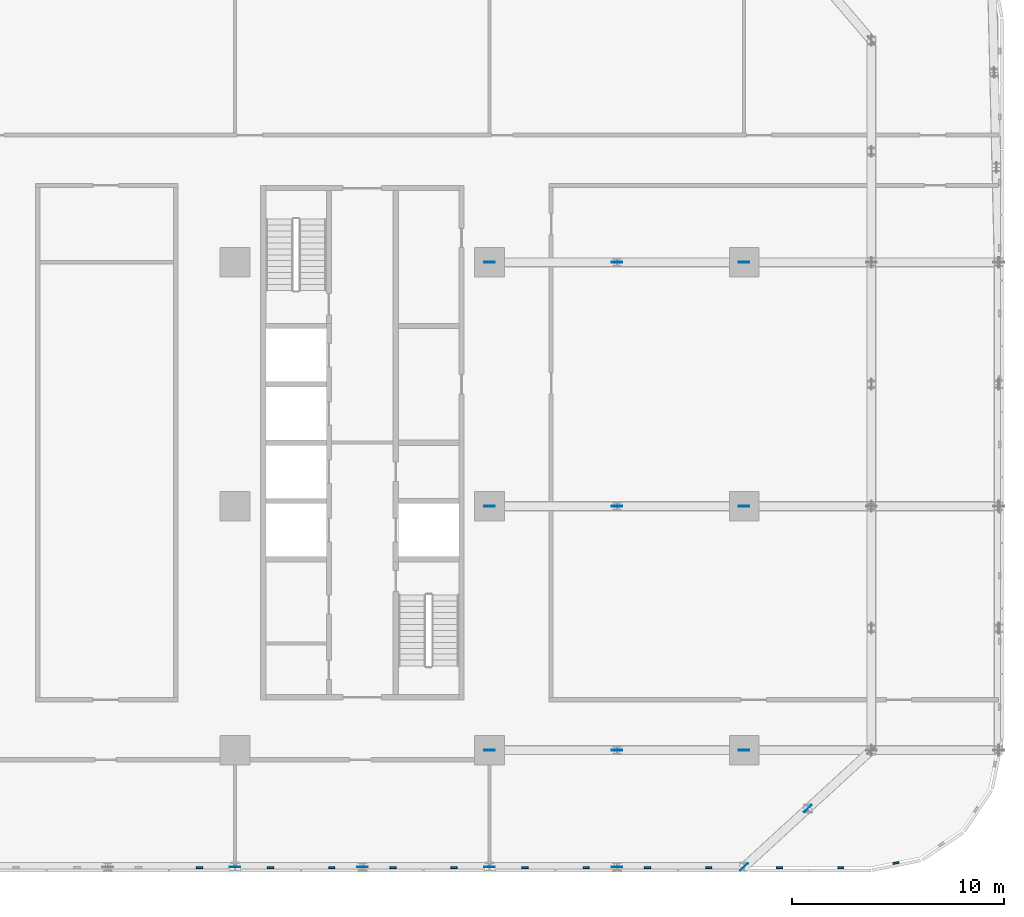
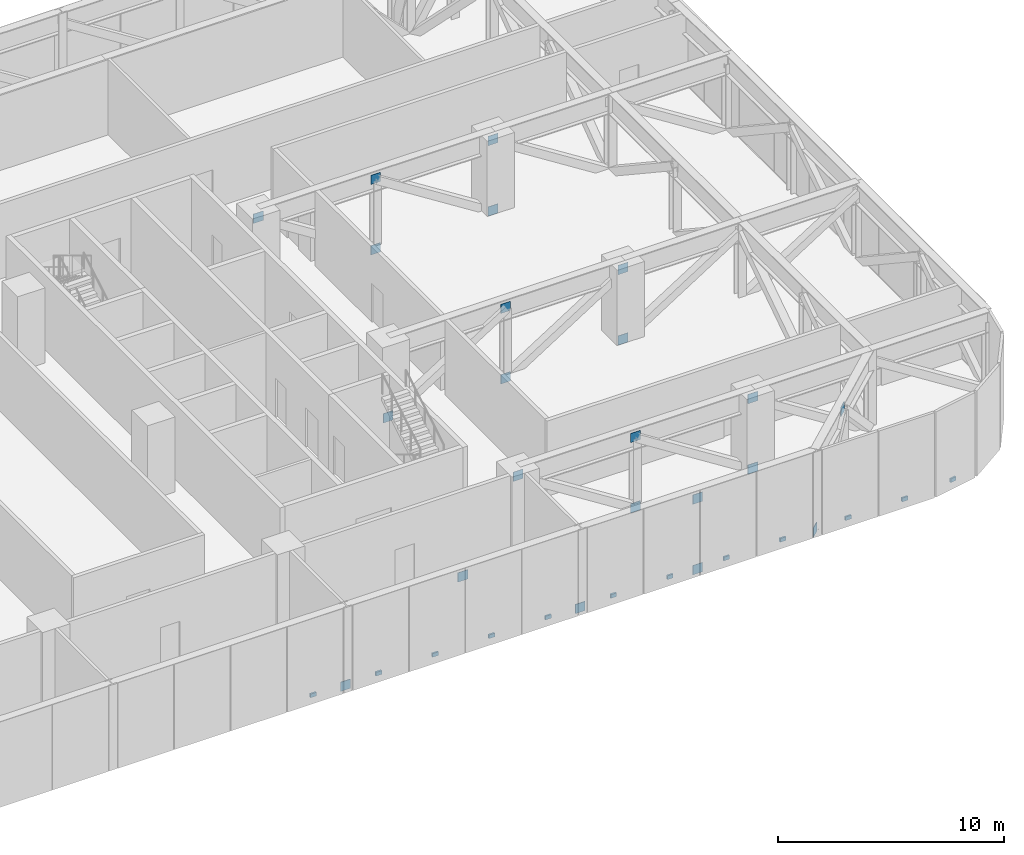
# One storey, part 18 of 26: 34 discrete accessories.
"""IFC4 building model written with IfcOpenShell, lengths in metres."""

from ifc_helpers import new_model, si_unit, direction, frame, origin, origin_2d, place, context, subcontext, project, spatial, rectangle, extrude, material, layer, layer_set, type_object, element, save


model = new_model("IFC4")

# Units and contexts
model_context = context("Model", 3, precision=1e-05, world=origin(), true_north=direction((0.0, 1.0)))
body_context = subcontext(model_context, "Body", "Model", "MODEL_VIEW")
ifc_project = project(units=[si_unit("LENGTHUNIT", "METRE"), si_unit("AREAUNIT", "SQUARE_METRE"), si_unit("VOLUMEUNIT", "CUBIC_METRE"), si_unit("PLANEANGLEUNIT", "RADIAN"), si_unit("MASSUNIT", "GRAM", prefix="KILO")], contexts=[model_context])

# Site, building, storey
site_placement = place(None, origin())
site = spatial("IfcSite", under=ifc_project, at=site_placement, CompositionType="ELEMENT")
building_placement = place(site_placement, origin())
building = spatial("IfcBuilding", under=site, at=building_placement, Name="Mahtab Terrace Research Tower", CompositionType="ELEMENT")
storey_placement = place(building_placement, frame((0.0, 0.0, 117.60009765625)))
storey = spatial("IfcBuildingStorey", under=building, at=storey_placement, Name="L27", CompositionType="ELEMENT", Elevation=117.60009765625)

# Discrete accessories
ifc_material_1 = material(Name="Black anodised aluminium", Category="aluminium")
discrete_accessory_type_1 = type_object("IfcDiscreteAccessoryType", Name="Facade bracket", PredefinedType="BRACKET", material=ifc_material_1)
for number, where, z_axis, x_axis, name in (
    (1, (43.6708984375, -17.044921875, -0.30029296875), (0.0, 0.0, 1.0), (1.0, 0.0, 0.0), "Louvre bracket L27 1"),
    (2, (46.556884765625, -17.044921875, -0.30029296875), (0.0, 0.0, 1.0), (1.0, 0.0, 0.0), "Louvre bracket L27 2"),
    (3, (49.15673828125, -16.815673828125, -0.30029296875), (0.0, 0.0, 1.0), (0.980760981187, 0.195212442692, 0.0), "Louvre bracket L27 3"),
    (4, (16.3291015625, -17.044921875, -0.30029296875), (0.0, 0.0, 1.0), (1.0, 0.0, 0.0), "Louvre bracket L27 91"),
    (5, (19.6708984375, -17.044921875, -0.30029296875), (0.0, 0.0, 1.0), (1.0, 0.0, 0.0), "Louvre bracket L27 92"),
    (6, (22.556884765625, -17.044921875, -0.30029296875), (0.0, 0.0, 1.0), (1.0, 0.0, 0.0), "Louvre bracket L27 93"),
    (7, (25.443115234375, -17.044921875, -0.30029296875), (0.0, 0.0, 1.0), (1.0, 0.0, 0.0), "Louvre bracket L27 94"),
    (8, (28.3291015625, -17.044921875, -0.30029296875), (0.0, 0.0, 1.0), (1.0, 0.0, 0.0), "Louvre bracket L27 95"),
    (9, (31.6708984375, -17.044921875, -0.30029296875), (0.0, 0.0, 1.0), (1.0, 0.0, 0.0), "Louvre bracket L27 96"),
    (10, (34.556884765625, -17.044921875, -0.30029296875), (0.0, 0.0, 1.0), (1.0, 0.0, 0.0), "Louvre bracket L27 97"),
    (11, (37.443115234375, -17.044921875, -0.30029296875), (0.0, 0.0, 1.0), (1.0, 0.0, 0.0), "Louvre bracket L27 98"),
    (12, (40.3291015625, -17.044921875, -0.30029296875), (0.0, 0.0, 1.0), (1.0, 0.0, 0.0), "Louvre bracket L27 99"),
):
    element("IfcDiscreteAccessory", number, at=place(storey_placement, frame(where, z_axis=z_axis, x_axis=x_axis)), inside=storey, type_object=discrete_accessory_type_1, Name=name, PredefinedType="BRACKET", context=body_context, shape_type="SweptSolid", body=[
        extrude(rectangle(XDim=0.300048828125, YDim=0.090087890625, at=origin_2d()), origin(), (0.0, 0.0, 1.0), 0.199951171875),
    ])
ifc_material_2 = material(Name="Steel ASTM A992 Gr 50", Category="steel")
ifc_layer = layer(ifc_material_2, 0.030029296875)
ifc_layer_set = layer_set([ifc_layer], Name="Gusset plate 500x500x30")
discrete_accessory_type_2 = type_object("IfcDiscreteAccessoryType", Name="Gusset plate 500x500x30", PredefinedType="USERDEFINED", material=ifc_layer_set)
for number, where, z_axis, x_axis, name in (
    (13, (18.0, -17.0, -0.558837890625), (0.0, 0.0, 1.0), (1.0, 0.0, 0.0), "Gusset plate"),
    (14, (24.0, -17.0, 3.251220703125), (0.0, 0.0, 1.0), (1.0, 0.0, 0.0), "Gusset plate"),
    (15, (30.0, -17.0, -0.558837890625), (0.0, 0.0, 1.0), (1.0, 0.0, 0.0), "Gusset plate"),
    (16, (30.0, -11.5, 3.251220703125), (0.0, 0.0, 1.0), (1.0, 0.0, 0.0), "Gusset plate"),
    (17, (30.0, 0.0, -0.558837890625), (0.0, 0.0, 1.0), (1.0, 0.0, 0.0), "Gusset plate"),
    (18, (30.0, 11.5, 3.251220703125), (0.0, 0.0, 1.0), (1.0, 0.0, 0.0), "Gusset plate"),
    (19, (36.0, -17.0, -0.558837890625), (0.0, 0.0, 1.0), (1.0, 0.0, 0.0), "Gusset plate"),
    (20, (36.0, -17.0, 3.251220703125), (0.0, 0.0, 1.0), (1.0, 0.0, 0.0), "Gusset plate"),
    (21, (36.0, -11.5, -0.558837890625), (0.0, 0.0, 1.0), (1.0, 0.0, 0.0), "Gusset plate"),
    (22, (36.0, -11.5, 3.251220703125), (0.0, 0.0, 1.0), (1.0, 0.0, 0.0), "Gusset plate"),
    (23, (36.0, 0.0, -0.558837890625), (0.0, 0.0, 1.0), (1.0, 0.0, 0.0), "Gusset plate"),
    (24, (36.0, 0.0, 3.251220703125), (0.0, 0.0, 1.0), (1.0, 0.0, 0.0), "Gusset plate"),
    (25, (36.0, 11.5, -0.558837890625), (0.0, 0.0, 1.0), (1.0, 0.0, 0.0), "Gusset plate"),
    (26, (36.0, 11.5, 3.251220703125), (0.0, 0.0, 1.0), (1.0, 0.0, 0.0), "Gusset plate"),
    (27, (42.0, -11.5, -0.558837890625), (0.0, 0.0, 1.0), (1.0, 0.0, 0.0), "Gusset plate"),
    (28, (42.0, -11.5, 3.251220703125), (0.0, 0.0, 1.0), (1.0, 0.0, 0.0), "Gusset plate"),
    (29, (42.0, 0.0, -0.558837890625), (0.0, 0.0, 1.0), (1.0, 0.0, 0.0), "Gusset plate"),
    (30, (42.0, 0.0, 3.251220703125), (0.0, 0.0, 1.0), (1.0, 0.0, 0.0), "Gusset plate"),
    (31, (42.0, 11.5, -0.558837890625), (0.0, 0.0, 1.0), (1.0, 0.0, 0.0), "Gusset plate"),
    (32, (42.0, 11.5, 3.251220703125), (0.0, 0.0, 1.0), (1.0, 0.0, 0.0), "Gusset plate"),
    (33, (42.0, -17.0, -0.558837890625), (0.0, 0.0, 1.0), (0.737159412846, 0.675718876495, 0.0), "Gusset plate"),
    (34, (45.0, -14.25, 3.251220703125), (0.0, 0.0, 1.0), (0.737159412846, 0.675718876495, 0.0), "Gusset plate"),
):
    element("IfcDiscreteAccessory", number, at=place(storey_placement, frame(where, z_axis=z_axis, x_axis=x_axis)), inside=storey, type_object=discrete_accessory_type_2, Name=name, ObjectType="GUSSET PLATE", PredefinedType="USERDEFINED", context=body_context, shape_type="SweptSolid", body=[
        extrude(rectangle(XDim=0.5, YDim=0.030029296875, at=origin_2d()), origin(), (0.0, 0.0, 1.0), 0.5),
    ])

save(model, "model.ifc")
